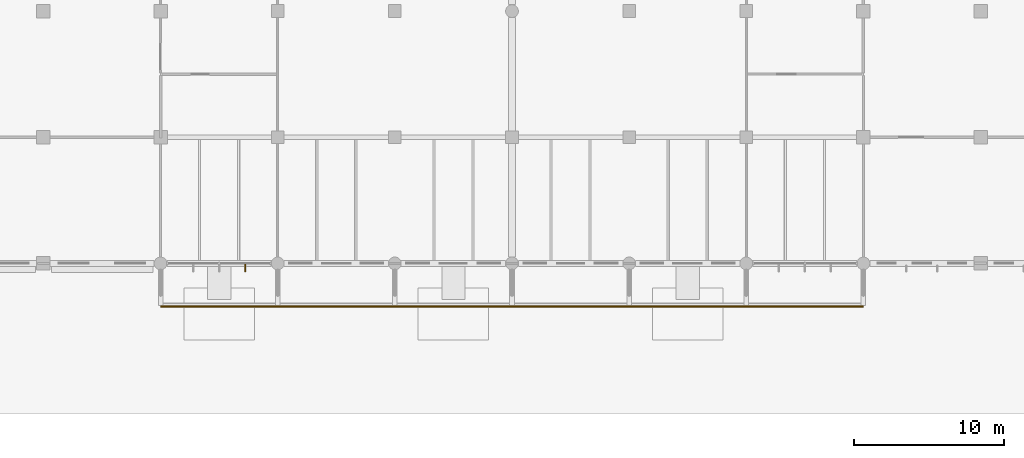
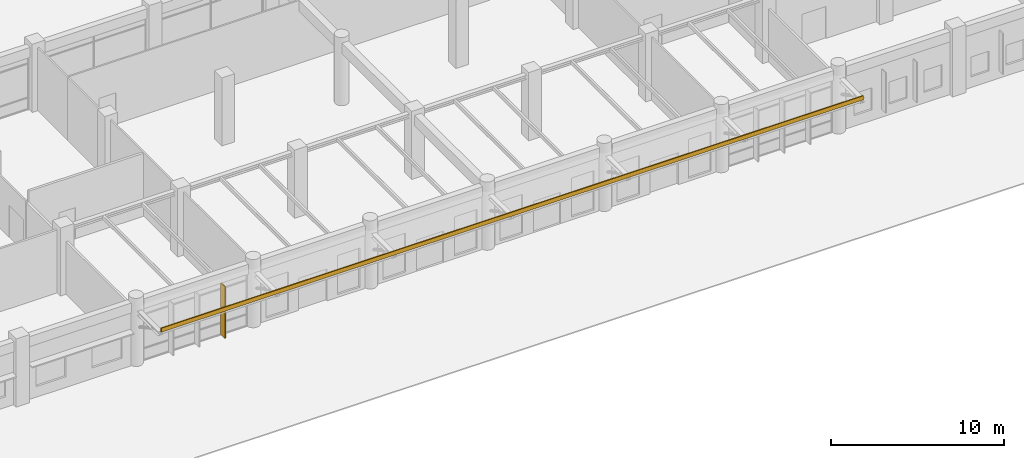
# One storey, part 64 of 74: 2 shading devices.
"""IFC4 building model written with IfcOpenShell, lengths in metres."""

from ifc_helpers import new_model, si_unit, direction, frame, origin, origin_2d, place, context, subcontext, project, spatial, rectangle, extrude, material, layer, layer_set, type_object, element, save


model = new_model("IFC4")

# Units and contexts
model_context = context("Model", 3, precision=1e-05, world=origin(), true_north=direction((0.0, 1.0)))
body_context = subcontext(model_context, "Body", "Model", "MODEL_VIEW")
ifc_project = project(units=[si_unit("LENGTHUNIT", "METRE"), si_unit("AREAUNIT", "SQUARE_METRE"), si_unit("VOLUMEUNIT", "CUBIC_METRE"), si_unit("PLANEANGLEUNIT", "RADIAN"), si_unit("MASSUNIT", "GRAM", prefix="KILO"), si_unit("THERMODYNAMICTEMPERATUREUNIT", "KELVIN"), si_unit("POWERUNIT", "WATT")], contexts=[model_context])

# Site, building, storey
site_placement = place(None, origin())
site = spatial("IfcSite", under=ifc_project, at=site_placement, CompositionType="ELEMENT")
building_placement = place(site_placement, origin())
building = spatial("IfcBuilding", under=site, at=building_placement, Name="Srebrne Nadtorze General Hospital", CompositionType="ELEMENT")
storey_placement = place(building_placement, origin())
storey = spatial("IfcBuildingStorey", under=building, at=storey_placement, Name="L00", CompositionType="ELEMENT", Elevation=0.0)

# Shading devices
ifc_material_1 = material(Name="Anodised Aluminium", Category="aluminium")
ifc_layer_1 = layer(ifc_material_1, 0.080078125)
ifc_layer_set_1 = layer_set([ifc_layer_1], Name="Anodised Aluminium")
shading_device_type_1 = type_object("IfcShadingDeviceType", Name="Hisashi horizontal aluminium sunshade", PredefinedType="JALOUSIE", material=ifc_layer_set_1)
shading_device_1_placement = place(storey_placement, frame((78.0, -2.8701171875, 3.8798828125), z_axis=(0.0, 0.0, 1.0), x_axis=(1.0, 0.0, 0.0)))
element("IfcShadingDevice", 1, at=shading_device_1_placement, inside=storey, type_object=shading_device_type_1, Name="South civic entrance canopy aluminium fascia", PredefinedType="JALOUSIE", context=body_context, shape_type="SweptSolid", body=[
    extrude(rectangle(XDim=46.800048828125, YDim=0.080078125, at=origin_2d()), origin(), (0.0, 0.0, 1.0), 0.280029296875),
])
ifc_material_2 = material(Name="Anodised Aluminium", Category="aluminium")
ifc_layer_2 = layer(ifc_material_2, 0.070068359375)
ifc_layer_set_2 = layer_set([ifc_layer_2], Name="Anodised Aluminium")
shading_device_type_2 = type_object("IfcShadingDeviceType", Name="Koushi vertical brise-soleil fin", PredefinedType="SHUTTER", material=ifc_layer_set_2)
shading_device_2_placement = place(storey_placement, frame((60.237548828125, -0.300048828125, 0.06005859375), z_axis=(0.0, 0.0, 1.0), x_axis=(1.0, 0.0, 0.0)))
element("IfcShadingDevice", 2, at=shading_device_2_placement, inside=storey, type_object=shading_device_type_2, Name="Koushi vertical brise-soleil fin LV-006", PredefinedType="SHUTTER", context=body_context, shape_type="SweptSolid", body=[
    extrude(rectangle(XDim=0.070068359375, YDim=0.52001953125, at=origin_2d()), origin(), (0.0, 0.0, 1.0), 3.6298828125),
])

save(model, "model.ifc")
